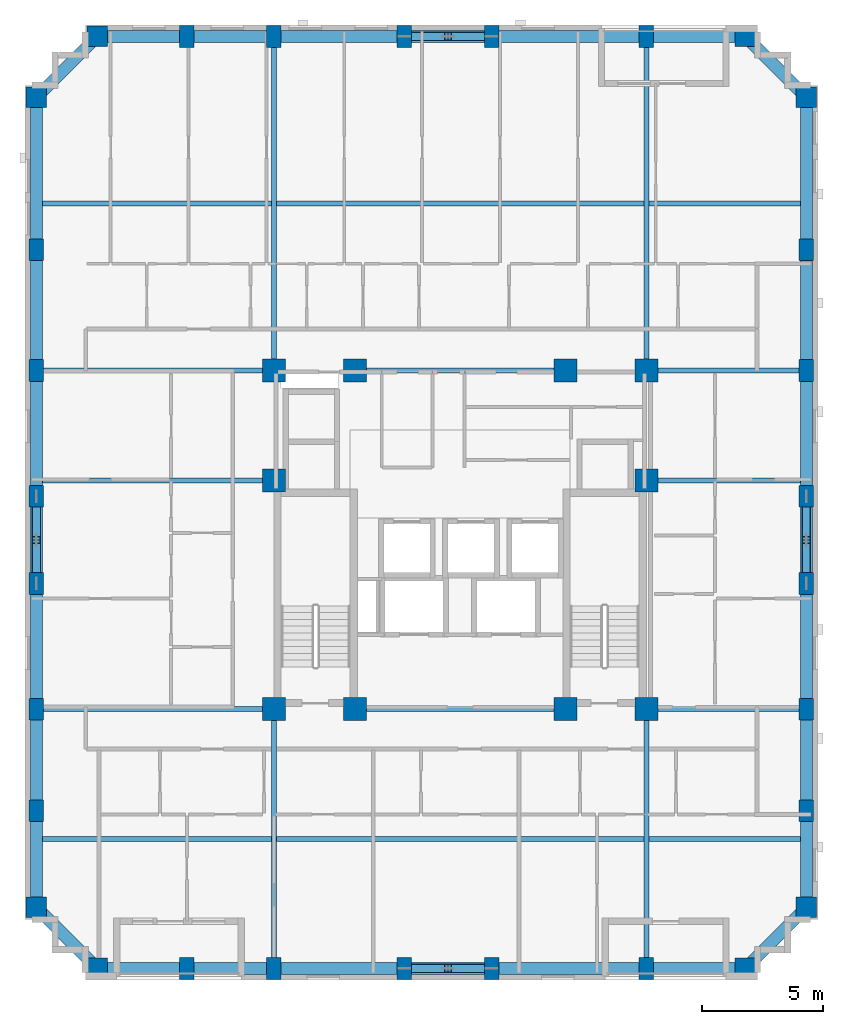
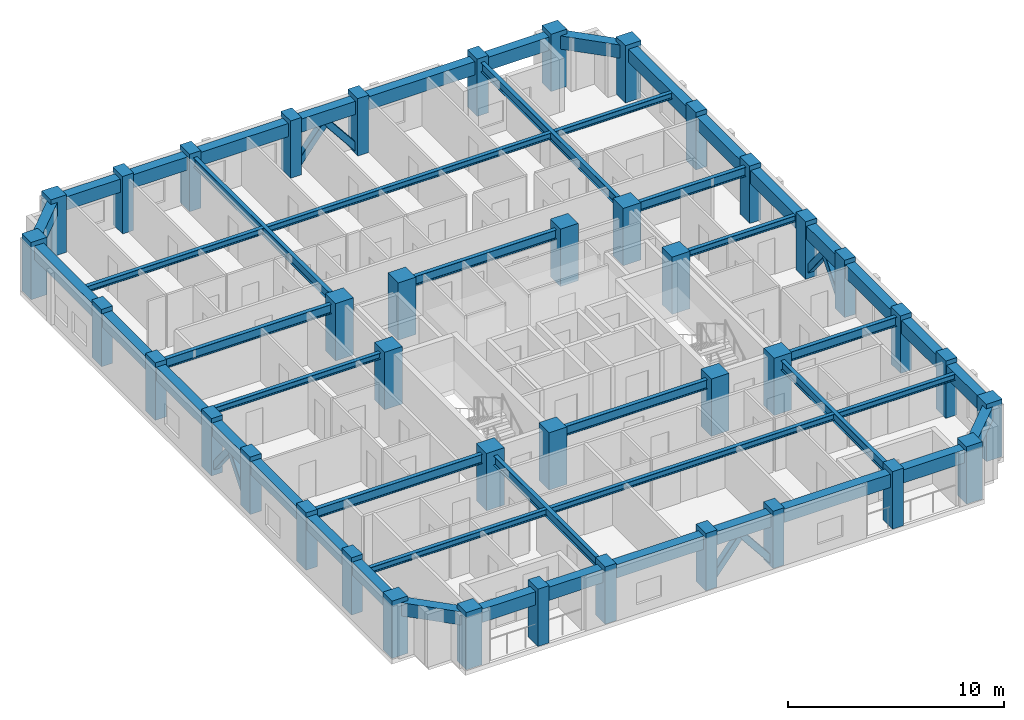
# One storey, part 1 of 11: 48 beams, 40 columns, 8 members.
"""IFC4 building model written with IfcOpenShell, lengths in metres."""

from ifc_helpers import new_model, si_unit, derived_unit, direction, frame, origin, origin_2d, place, context, subcontext, project, spatial, rectangle, hollow_rectangle, i_section, extrude, material, material_profile, profile_set, type_object, element, save


model = new_model("IFC4")

# Units and contexts
model_context = context("Model", 3, precision=1e-05, world=origin(), true_north=direction((0.0, 1.0)))
body_context = subcontext(model_context, "Body", "Model", "MODEL_VIEW")
ifc_project = project(units=[si_unit("LENGTHUNIT", "METRE"), si_unit("AREAUNIT", "SQUARE_METRE"), si_unit("VOLUMEUNIT", "CUBIC_METRE"), si_unit("PLANEANGLEUNIT", "RADIAN"), si_unit("MASSUNIT", "GRAM", prefix="KILO"), derived_unit("THERMALTRANSMITTANCEUNIT", [(si_unit("MASSUNIT", "GRAM", prefix="KILO"), 1), (si_unit("TIMEUNIT", "SECOND"), -3), (si_unit("THERMODYNAMICTEMPERATUREUNIT", "KELVIN"), -1)])], contexts=[model_context])

# Site, building, storey
site_placement = place(None, origin())
site = spatial("IfcSite", under=ifc_project, at=site_placement, CompositionType="ELEMENT")
building_placement = place(site_placement, origin())
building = spatial("IfcBuilding", under=site, at=building_placement, Name="Korrvale Station Residences", CompositionType="ELEMENT")
storey_placement = place(building_placement, frame((0.0, 0.0, 160.14990234375)))
storey = spatial("IfcBuildingStorey", under=building, at=storey_placement, Name="L46", CompositionType="ELEMENT", Elevation=160.14990234375)

# Columns
ifc_material_1 = material(Name="Concrete C60/75", Category="concrete")
ifc_material_profile_1 = material_profile(ifc_material_1, rectangle(XDim=0.60009765625, YDim=0.89990234375, at=origin_2d()), Name="RC600x900")
ifc_profile_set_1 = profile_set([ifc_material_profile_1], Name="Concrete C60/75")
column_type_1 = type_object("IfcColumnType", Name="COL-C-RC600x900-C6075", PredefinedType="COLUMN", material=ifc_profile_set_1)
for number, where, z_axis, x_axis, name in (
    (1, (14.199951171875, 4.280029296875, 0.0), (0.0, 0.0, 1.0), (1.0, 0.0, 0.0), "L46 Bundled-Tube South Column 02"),
    (2, (17.800048828125, 4.280029296875, 0.0), (0.0, 0.0, 1.0), (1.0, 0.0, 0.0), "L46 Bundled-Tube South Column 03"),
    (3, (23.199951171875, 4.280029296875, 0.0), (0.0, 0.0, 1.0), (1.0, 0.0, 0.0), "L46 Bundled-Tube South Column 04"),
    (4, (26.800048828125, 4.280029296875, 0.0), (0.0, 0.0, 1.0), (1.0, 0.0, 0.0), "L46 Bundled-Tube South Column 05"),
    (5, (33.199951171875, 4.280029296875, 0.0), (0.0, 0.0, 1.0), (1.0, 0.0, 0.0), "L46 Bundled-Tube South Column 06"),
    (6, (14.199951171875, 42.820068359375, 0.0), (0.0, 0.0, 1.0), (1.0, 0.0, 0.0), "L46 Bundled-Tube North Column 09"),
    (7, (17.800048828125, 42.820068359375, 0.0), (0.0, 0.0, 1.0), (1.0, 0.0, 0.0), "L46 Bundled-Tube North Column 10"),
    (8, (23.199951171875, 42.820068359375, 0.0), (0.0, 0.0, 1.0), (1.0, 0.0, 0.0), "L46 Bundled-Tube North Column 11"),
    (9, (26.800048828125, 42.820068359375, 0.0), (0.0, 0.0, 1.0), (1.0, 0.0, 0.0), "L46 Bundled-Tube North Column 12"),
    (10, (33.199951171875, 42.820068359375, 0.0), (0.0, 0.0, 1.0), (1.0, 0.0, 0.0), "L46 Bundled-Tube North Column 13"),
    (11, (7.97998046875, 10.800048828125, 0.0), (0.0, 0.0, 1.0), (1.0, 0.0, 0.0), "L46 Bundled-Tube West Column 16"),
    (12, (7.97998046875, 15.0, 0.0), (0.0, 0.0, 1.0), (1.0, 0.0, 0.0), "L46 Bundled-Tube West Column 17"),
    (13, (7.97998046875, 20.199951171875, 0.0), (0.0, 0.0, 1.0), (1.0, 0.0, 0.0), "L46 Bundled-Tube West Column 18"),
    (14, (7.97998046875, 23.800048828125, 0.0), (0.0, 0.0, 1.0), (1.0, 0.0, 0.0), "L46 Bundled-Tube West Column 19"),
    (15, (7.97998046875, 29.0, 0.0), (0.0, 0.0, 1.0), (1.0, 0.0, 0.0), "L46 Bundled-Tube West Column 20"),
    (16, (7.97998046875, 34.0, 0.0), (0.0, 0.0, 1.0), (1.0, 0.0, 0.0), "L46 Bundled-Tube West Column 21"),
    (17, (39.820068359375, 10.800048828125, 0.0), (0.0, 0.0, 1.0), (1.0, 0.0, 0.0), "L46 Bundled-Tube East Column 24"),
    (18, (39.820068359375, 15.0, 0.0), (0.0, 0.0, 1.0), (1.0, 0.0, 0.0), "L46 Bundled-Tube East Column 25"),
    (19, (39.820068359375, 20.199951171875, 0.0), (0.0, 0.0, 1.0), (1.0, 0.0, 0.0), "L46 Bundled-Tube East Column 26"),
    (20, (39.820068359375, 23.800048828125, 0.0), (0.0, 0.0, 1.0), (1.0, 0.0, 0.0), "L46 Bundled-Tube East Column 27"),
    (21, (39.820068359375, 29.0, 0.0), (0.0, 0.0, 1.0), (1.0, 0.0, 0.0), "L46 Bundled-Tube East Column 28"),
    (22, (39.820068359375, 34.0, 0.0), (0.0, 0.0, 1.0), (1.0, 0.0, 0.0), "L46 Bundled-Tube East Column 29"),
):
    element("IfcColumn", number, at=place(storey_placement, frame(where, z_axis=z_axis, x_axis=x_axis)), inside=storey, type_object=column_type_1, Name=name, PredefinedType="COLUMN", context=body_context, shape_type="SweptSolid", body=[
        extrude(rectangle(XDim=0.60009765625, YDim=0.89990234375, at=origin_2d()), origin(), (0.0, 0.0, 1.0), 3.25),
    ])
ifc_material_profile_2 = material_profile(ifc_material_1, rectangle(XDim=0.85009765625, YDim=0.85009765625, at=origin_2d()), Name="RC850x850")
ifc_profile_set_2 = profile_set([ifc_material_profile_2], Name="Concrete C60/75")
column_type_2 = type_object("IfcColumnType", Name="COL-C-RC850x850-C6075", PredefinedType="COLUMN", material=ifc_profile_set_2)
for number, where, z_axis, x_axis, name in (
    (23, (10.5, 4.280029296875, 0.0), (0.0, 0.0, 1.0), (1.0, 0.0, 0.0), "L46 Bundled-Tube South Column 01"),
    (24, (37.300048828125, 4.280029296875, 0.0), (0.0, 0.0, 1.0), (1.0, 0.0, 0.0), "L46 Bundled-Tube South Column 07"),
    (25, (10.5, 42.820068359375, 0.0), (0.0, 0.0, 1.0), (1.0, 0.0, 0.0), "L46 Bundled-Tube North Column 08"),
    (26, (37.300048828125, 42.820068359375, 0.0), (0.0, 0.0, 1.0), (1.0, 0.0, 0.0), "L46 Bundled-Tube North Column 14"),
    (27, (7.97998046875, 6.800048828125, 0.0), (0.0, 0.0, 1.0), (1.0, 0.0, 0.0), "L46 Bundled-Tube West Column 15"),
    (28, (7.97998046875, 40.300048828125, 0.0), (0.0, 0.0, 1.0), (1.0, 0.0, 0.0), "L46 Bundled-Tube West Column 22"),
    (29, (39.820068359375, 6.800048828125, 0.0), (0.0, 0.0, 1.0), (1.0, 0.0, 0.0), "L46 Bundled-Tube East Column 23"),
    (30, (39.820068359375, 40.300048828125, 0.0), (0.0, 0.0, 1.0), (1.0, 0.0, 0.0), "L46 Bundled-Tube East Column 30"),
):
    element("IfcColumn", number, at=place(storey_placement, frame(where, z_axis=z_axis, x_axis=x_axis)), inside=storey, type_object=column_type_2, Name=name, PredefinedType="COLUMN", context=body_context, shape_type="SweptSolid", body=[
        extrude(rectangle(XDim=0.85009765625, YDim=0.85009765625, at=origin_2d()), origin(), (0.0, 0.0, 1.0), 3.25),
    ])
ifc_material_profile_3 = material_profile(ifc_material_1, rectangle(XDim=0.949951171875, YDim=0.949951171875, at=origin_2d()), Name="RC950x950")
ifc_profile_set_3 = profile_set([ifc_material_profile_3], Name="Concrete C60/75")
column_type_3 = type_object("IfcColumnType", Name="COL-C-RC950x950-C6075", PredefinedType="COLUMN", material=ifc_profile_set_3)
for number, where, z_axis, x_axis, name in (
    (31, (17.800048828125, 15.0, 0.0), (0.0, 0.0, 1.0), (1.0, 0.0, 0.0), "L46 Core Column 01"),
    (32, (21.14990234375, 15.0, 0.0), (0.0, 0.0, 1.0), (1.0, 0.0, 0.0), "L46 Core Column 02"),
    (33, (29.85009765625, 15.0, 0.0), (0.0, 0.0, 1.0), (1.0, 0.0, 0.0), "L46 Core Column 03"),
    (34, (33.199951171875, 15.0, 0.0), (0.0, 0.0, 1.0), (1.0, 0.0, 0.0), "L46 Core Column 04"),
    (35, (17.800048828125, 29.0, 0.0), (0.0, 0.0, 1.0), (1.0, 0.0, 0.0), "L46 Core Column 05"),
    (36, (21.14990234375, 29.0, 0.0), (0.0, 0.0, 1.0), (1.0, 0.0, 0.0), "L46 Core Column 06"),
    (37, (29.85009765625, 29.0, 0.0), (0.0, 0.0, 1.0), (1.0, 0.0, 0.0), "L46 Core Column 07"),
    (38, (33.199951171875, 29.0, 0.0), (0.0, 0.0, 1.0), (1.0, 0.0, 0.0), "L46 Core Column 08"),
    (39, (17.800048828125, 24.449951171875, 0.0), (0.0, 0.0, 1.0), (1.0, 0.0, 0.0), "L46 Core Column 09"),
    (40, (33.199951171875, 24.449951171875, 0.0), (0.0, 0.0, 1.0), (1.0, 0.0, 0.0), "L46 Core Column 10"),
):
    element("IfcColumn", number, at=place(storey_placement, frame(where, z_axis=z_axis, x_axis=x_axis)), inside=storey, type_object=column_type_3, Name=name, PredefinedType="COLUMN", context=body_context, shape_type="SweptSolid", body=[
        extrude(rectangle(XDim=0.949951171875, YDim=0.949951171875, at=origin_2d()), origin(), (0.0, 0.0, 1.0), 3.25),
    ])

# Beams
ifc_material_2 = material(Name="Steel S355", Category="steel")
ifc_material_profile_4 = material_profile(ifc_material_2, i_section(OverallWidth=0.208984375, OverallDepth=0.532958984375, WebThickness=0.01025390625, FlangeThickness=0.015625, FilletRadius=0.01806640625, at=origin_2d()), Name="W530x92")
ifc_profile_set_4 = profile_set([ifc_material_profile_4], Name="Steel S355")
beam_type_1 = type_object("IfcBeamType", Name="BM-BM-W530x92-S355", PredefinedType="BEAM", material=ifc_profile_set_4)
for number, where, z_axis, x_axis, name in (
    (41, (17.800048828125, 4.280029296875, 2.7236328125), (0.0, 1.0, 0.0), (-1.0, 0.0, 0.0), "L46 Bundled-Tube Web Girder 01"),
    (42, (33.199951171875, 4.280029296875, 2.7236328125), (0.0, 1.0, 0.0), (-1.0, 0.0, 0.0), "L46 Bundled-Tube Web Girder 02"),
):
    element("IfcBeam", number, at=place(storey_placement, frame(where, z_axis=z_axis, x_axis=x_axis)), inside=storey, type_object=beam_type_1, Name=name, PredefinedType="BEAM", context=body_context, shape_type="SweptSolid", body=[
        extrude(i_section(OverallWidth=0.208984375, OverallDepth=0.532958984375, WebThickness=0.01025390625, FlangeThickness=0.015625, FilletRadius=0.01806640625, at=origin_2d()), origin(), (0.0, 0.0, 1.0), 10.719970703125),
    ])
for number, where, z_axis, x_axis, name in (
    (43, (17.800048828125, 29.0, 2.7236328125), (0.0, 1.0, 0.0), (-1.0, 0.0, 0.0), "L46 Bundled-Tube Web Girder 03"),
    (44, (33.199951171875, 29.0, 2.7236328125), (0.0, 1.0, 0.0), (-1.0, 0.0, 0.0), "L46 Bundled-Tube Web Girder 04"),
):
    element("IfcBeam", number, at=place(storey_placement, frame(where, z_axis=z_axis, x_axis=x_axis)), inside=storey, type_object=beam_type_1, Name=name, PredefinedType="BEAM", context=body_context, shape_type="SweptSolid", body=[
        extrude(i_section(OverallWidth=0.208984375, OverallDepth=0.532958984375, WebThickness=0.01025390625, FlangeThickness=0.015625, FilletRadius=0.01806640625, at=origin_2d()), origin(), (0.0, 0.0, 1.0), 13.820068359375),
    ])
beam_1_placement = place(storey_placement, frame((7.97998046875, 15.0, 2.7236328125), z_axis=(1.0, 0.0, 0.0), x_axis=(0.0, 1.0, 0.0)))
element("IfcBeam", 45, at=beam_1_placement, inside=storey, type_object=beam_type_1, Name="L46 Bundled-Tube Web Girder 05", PredefinedType="BEAM", context=body_context, shape_type="SweptSolid", body=[
    extrude(i_section(OverallWidth=0.208984375, OverallDepth=0.532958984375, WebThickness=0.01025390625, FlangeThickness=0.015625, FilletRadius=0.01806640625, at=origin_2d()), origin(), (0.0, 0.0, 1.0), 9.820068359375),
])
beam_2_placement = place(storey_placement, frame((33.199951171875, 15.0, 2.7236328125), z_axis=(1.0, 0.0, 0.0), x_axis=(0.0, 1.0, 0.0)))
element("IfcBeam", 46, at=beam_2_placement, inside=storey, type_object=beam_type_1, Name="L46 Bundled-Tube Web Girder 06", PredefinedType="BEAM", context=body_context, shape_type="SweptSolid", body=[
    extrude(i_section(OverallWidth=0.208984375, OverallDepth=0.532958984375, WebThickness=0.01025390625, FlangeThickness=0.015625, FilletRadius=0.01806640625, at=origin_2d()), origin(), (0.0, 0.0, 1.0), 6.6201171875),
])
beam_3_placement = place(storey_placement, frame((7.97998046875, 29.0, 2.7236328125), z_axis=(1.0, 0.0, 0.0), x_axis=(0.0, 1.0, 0.0)))
element("IfcBeam", 47, at=beam_3_placement, inside=storey, type_object=beam_type_1, Name="L46 Bundled-Tube Web Girder 07", PredefinedType="BEAM", context=body_context, shape_type="SweptSolid", body=[
    extrude(i_section(OverallWidth=0.208984375, OverallDepth=0.532958984375, WebThickness=0.01025390625, FlangeThickness=0.015625, FilletRadius=0.01806640625, at=origin_2d()), origin(), (0.0, 0.0, 1.0), 9.820068359375),
])
beam_4_placement = place(storey_placement, frame((33.199951171875, 29.0, 2.7236328125), z_axis=(1.0, 0.0, 0.0), x_axis=(0.0, 1.0, 0.0)))
element("IfcBeam", 48, at=beam_4_placement, inside=storey, type_object=beam_type_1, Name="L46 Bundled-Tube Web Girder 08", PredefinedType="BEAM", context=body_context, shape_type="SweptSolid", body=[
    extrude(i_section(OverallWidth=0.208984375, OverallDepth=0.532958984375, WebThickness=0.01025390625, FlangeThickness=0.015625, FilletRadius=0.01806640625, at=origin_2d()), origin(), (0.0, 0.0, 1.0), 6.6201171875),
])
for number, where, z_axis, x_axis, name in (
    (49, (21.14990234375, 15.0, 2.7236328125), (1.0, 0.0, 0.0), (0.0, 1.0, 0.0), "L46 Bundled-Tube Web Girder 09"),
    (50, (21.14990234375, 29.0, 2.7236328125), (1.0, 0.0, 0.0), (0.0, 1.0, 0.0), "L46 Bundled-Tube Web Girder 10"),
):
    element("IfcBeam", number, at=place(storey_placement, frame(where, z_axis=z_axis, x_axis=x_axis)), inside=storey, type_object=beam_type_1, Name=name, PredefinedType="BEAM", context=body_context, shape_type="SweptSolid", body=[
        extrude(i_section(OverallWidth=0.208984375, OverallDepth=0.532958984375, WebThickness=0.01025390625, FlangeThickness=0.015625, FilletRadius=0.01806640625, at=origin_2d()), origin(), (0.0, 0.0, 1.0), 8.7001953125),
    ])
ifc_material_profile_5 = material_profile(ifc_material_2, i_section(OverallWidth=0.205078125, OverallDepth=0.35400390625, WebThickness=0.009521484375, FlangeThickness=0.016845703125, FilletRadius=0.014892578125, at=origin_2d()), Name="W360x79")
ifc_profile_set_5 = profile_set([ifc_material_profile_5], Name="Steel S355")
beam_type_2 = type_object("IfcBeamType", Name="BM-JST-W360x79-S355", PredefinedType="JOIST", material=ifc_profile_set_5)
beam_5_placement = place(storey_placement, frame((8.22998046875, 9.639892578125, 2.81298828125), z_axis=(1.0, 0.0, 0.0), x_axis=(0.0, 1.0, 0.0)))
element("IfcBeam", 51, at=beam_5_placement, inside=storey, type_object=beam_type_2, Name="L46 Floor Framing Joist 01", PredefinedType="JOIST", context=body_context, shape_type="SweptSolid", body=[
    extrude(i_section(OverallWidth=0.205078125, OverallDepth=0.35400390625, WebThickness=0.009521484375, FlangeThickness=0.016845703125, FilletRadius=0.014892578125, at=origin_2d()), origin(), (0.0, 0.0, 1.0), 9.465576171875),
])
beam_6_placement = place(storey_placement, frame((17.904541015625, 9.639892578125, 2.81298828125), z_axis=(1.0, 0.0, 0.0), x_axis=(0.0, 1.0, 0.0)))
element("IfcBeam", 52, at=beam_6_placement, inside=storey, type_object=beam_type_2, Name="L46 Floor Framing Joist 02", PredefinedType="JOIST", context=body_context, shape_type="SweptSolid", body=[
    extrude(i_section(OverallWidth=0.205078125, OverallDepth=0.35400390625, WebThickness=0.009521484375, FlangeThickness=0.016845703125, FilletRadius=0.014892578125, at=origin_2d()), origin(), (0.0, 0.0, 1.0), 15.19091796875),
])
beam_7_placement = place(storey_placement, frame((33.304443359375, 9.639892578125, 2.81298828125), z_axis=(1.0, 0.0, 0.0), x_axis=(0.0, 1.0, 0.0)))
element("IfcBeam", 53, at=beam_7_placement, inside=storey, type_object=beam_type_2, Name="L46 Floor Framing Joist 03", PredefinedType="JOIST", context=body_context, shape_type="SweptSolid", body=[
    extrude(i_section(OverallWidth=0.205078125, OverallDepth=0.35400390625, WebThickness=0.009521484375, FlangeThickness=0.016845703125, FilletRadius=0.014892578125, at=origin_2d()), origin(), (0.0, 0.0, 1.0), 6.265625),
])
beam_8_placement = place(storey_placement, frame((8.22998046875, 35.909912109375, 2.81298828125), z_axis=(1.0, 0.0, 0.0), x_axis=(0.0, 1.0, 0.0)))
element("IfcBeam", 54, at=beam_8_placement, inside=storey, type_object=beam_type_2, Name="L46 Floor Framing Joist 04", PredefinedType="JOIST", context=body_context, shape_type="SweptSolid", body=[
    extrude(i_section(OverallWidth=0.205078125, OverallDepth=0.35400390625, WebThickness=0.009521484375, FlangeThickness=0.016845703125, FilletRadius=0.014892578125, at=origin_2d()), origin(), (0.0, 0.0, 1.0), 9.465576171875),
])
beam_9_placement = place(storey_placement, frame((17.904541015625, 35.909912109375, 2.81298828125), z_axis=(1.0, 0.0, 0.0), x_axis=(0.0, 1.0, 0.0)))
element("IfcBeam", 55, at=beam_9_placement, inside=storey, type_object=beam_type_2, Name="L46 Floor Framing Joist 05", PredefinedType="JOIST", context=body_context, shape_type="SweptSolid", body=[
    extrude(i_section(OverallWidth=0.205078125, OverallDepth=0.35400390625, WebThickness=0.009521484375, FlangeThickness=0.016845703125, FilletRadius=0.014892578125, at=origin_2d()), origin(), (0.0, 0.0, 1.0), 15.19091796875),
])
beam_10_placement = place(storey_placement, frame((33.304443359375, 35.909912109375, 2.81298828125), z_axis=(1.0, 0.0, 0.0), x_axis=(0.0, 1.0, 0.0)))
element("IfcBeam", 56, at=beam_10_placement, inside=storey, type_object=beam_type_2, Name="L46 Floor Framing Joist 06", PredefinedType="JOIST", context=body_context, shape_type="SweptSolid", body=[
    extrude(i_section(OverallWidth=0.205078125, OverallDepth=0.35400390625, WebThickness=0.009521484375, FlangeThickness=0.016845703125, FilletRadius=0.014892578125, at=origin_2d()), origin(), (0.0, 0.0, 1.0), 6.265625),
])
beam_11_placement = place(storey_placement, frame((33.199951171875, 24.449951171875, 2.81298828125), z_axis=(1.0, 0.0, 0.0), x_axis=(0.0, 1.0, 0.0)))
element("IfcBeam", 57, at=beam_11_placement, inside=storey, type_object=beam_type_2, Name="L46 Floor Framing Joist 07", PredefinedType="JOIST", context=body_context, shape_type="SweptSolid", body=[
    extrude(i_section(OverallWidth=0.205078125, OverallDepth=0.35400390625, WebThickness=0.009521484375, FlangeThickness=0.016845703125, FilletRadius=0.014892578125, at=origin_2d()), origin(), (0.0, 0.0, 1.0), 6.3701171875),
])
beam_12_placement = place(storey_placement, frame((8.22998046875, 24.449951171875, 2.81298828125), z_axis=(1.0, 0.0, 0.0), x_axis=(0.0, 1.0, 0.0)))
element("IfcBeam", 58, at=beam_12_placement, inside=storey, type_object=beam_type_2, Name="L46 Floor Framing Joist 08", PredefinedType="JOIST", context=body_context, shape_type="SweptSolid", body=[
    extrude(i_section(OverallWidth=0.205078125, OverallDepth=0.35400390625, WebThickness=0.009521484375, FlangeThickness=0.016845703125, FilletRadius=0.014892578125, at=origin_2d()), origin(), (0.0, 0.0, 1.0), 9.570068359375),
])
ifc_material_profile_6 = material_profile(ifc_material_1, rectangle(XDim=0.5, YDim=0.75, at=origin_2d()), Name="RCB500x750")
ifc_profile_set_6 = profile_set([ifc_material_profile_6], Name="Concrete C60/75")
beam_type_3 = type_object("IfcBeamType", Name="BM-SPB-RCB500x750-C6075", PredefinedType="SPANDREL", material=ifc_profile_set_6)
beam_13_placement = place(storey_placement, frame((10.5, 4.280029296875, 2.614990234375), z_axis=(1.0, 0.0, 0.0), x_axis=(0.0, 1.0, 0.0)))
element("IfcBeam", 59, at=beam_13_placement, inside=storey, type_object=beam_type_3, Name="L46 South Tube Spandrel 01", PredefinedType="SPANDREL", context=body_context, shape_type="SweptSolid", body=[
    extrude(rectangle(XDim=0.5, YDim=0.75, at=origin_2d()), origin(), (0.0, 0.0, 1.0), 3.699951171875),
])
beam_14_placement = place(storey_placement, frame((14.199951171875, 4.280029296875, 2.614990234375), z_axis=(1.0, 0.0, 0.0), x_axis=(0.0, 1.0, 0.0)))
element("IfcBeam", 60, at=beam_14_placement, inside=storey, type_object=beam_type_3, Name="L46 South Tube Spandrel 02", PredefinedType="SPANDREL", context=body_context, shape_type="SweptSolid", body=[
    extrude(rectangle(XDim=0.5, YDim=0.75, at=origin_2d()), origin(), (0.0, 0.0, 1.0), 3.60009765625),
])
beam_15_placement = place(storey_placement, frame((17.800048828125, 4.280029296875, 2.614990234375), z_axis=(1.0, 0.0, 0.0), x_axis=(0.0, 1.0, 0.0)))
element("IfcBeam", 61, at=beam_15_placement, inside=storey, type_object=beam_type_3, Name="L46 South Tube Spandrel 03", PredefinedType="SPANDREL", context=body_context, shape_type="SweptSolid", body=[
    extrude(rectangle(XDim=0.5, YDim=0.75, at=origin_2d()), origin(), (0.0, 0.0, 1.0), 5.39990234375),
])
beam_16_placement = place(storey_placement, frame((23.199951171875, 4.280029296875, 2.614990234375), z_axis=(1.0, 0.0, 0.0), x_axis=(0.0, 1.0, 0.0)))
element("IfcBeam", 62, at=beam_16_placement, inside=storey, type_object=beam_type_3, Name="L46 South Tube Spandrel 04", PredefinedType="SPANDREL", context=body_context, shape_type="SweptSolid", body=[
    extrude(rectangle(XDim=0.5, YDim=0.75, at=origin_2d()), origin(), (0.0, 0.0, 1.0), 3.60009765625),
])
beam_17_placement = place(storey_placement, frame((26.800048828125, 4.280029296875, 2.614990234375), z_axis=(1.0, 0.0, 0.0), x_axis=(0.0, 1.0, 0.0)))
element("IfcBeam", 63, at=beam_17_placement, inside=storey, type_object=beam_type_3, Name="L46 South Tube Spandrel 05", PredefinedType="SPANDREL", context=body_context, shape_type="SweptSolid", body=[
    extrude(rectangle(XDim=0.5, YDim=0.75, at=origin_2d()), origin(), (0.0, 0.0, 1.0), 6.39990234375),
])
beam_18_placement = place(storey_placement, frame((33.199951171875, 4.280029296875, 2.614990234375), z_axis=(1.0, 0.0, 0.0), x_axis=(0.0, 1.0, 0.0)))
element("IfcBeam", 64, at=beam_18_placement, inside=storey, type_object=beam_type_3, Name="L46 South Tube Spandrel 06", PredefinedType="SPANDREL", context=body_context, shape_type="SweptSolid", body=[
    extrude(rectangle(XDim=0.5, YDim=0.75, at=origin_2d()), origin(), (0.0, 0.0, 1.0), 4.10009765625),
])
beam_19_placement = place(storey_placement, frame((10.5, 42.820068359375, 2.614990234375), z_axis=(1.0, 0.0, 0.0), x_axis=(0.0, 1.0, 0.0)))
element("IfcBeam", 65, at=beam_19_placement, inside=storey, type_object=beam_type_3, Name="L46 North Tube Spandrel 07", PredefinedType="SPANDREL", context=body_context, shape_type="SweptSolid", body=[
    extrude(rectangle(XDim=0.5, YDim=0.75, at=origin_2d()), origin(), (0.0, 0.0, 1.0), 3.699951171875),
])
beam_20_placement = place(storey_placement, frame((14.199951171875, 42.820068359375, 2.614990234375), z_axis=(1.0, 0.0, 0.0), x_axis=(0.0, 1.0, 0.0)))
element("IfcBeam", 66, at=beam_20_placement, inside=storey, type_object=beam_type_3, Name="L46 North Tube Spandrel 08", PredefinedType="SPANDREL", context=body_context, shape_type="SweptSolid", body=[
    extrude(rectangle(XDim=0.5, YDim=0.75, at=origin_2d()), origin(), (0.0, 0.0, 1.0), 3.60009765625),
])
beam_21_placement = place(storey_placement, frame((17.800048828125, 42.820068359375, 2.614990234375), z_axis=(1.0, 0.0, 0.0), x_axis=(0.0, 1.0, 0.0)))
element("IfcBeam", 67, at=beam_21_placement, inside=storey, type_object=beam_type_3, Name="L46 North Tube Spandrel 09", PredefinedType="SPANDREL", context=body_context, shape_type="SweptSolid", body=[
    extrude(rectangle(XDim=0.5, YDim=0.75, at=origin_2d()), origin(), (0.0, 0.0, 1.0), 5.39990234375),
])
beam_22_placement = place(storey_placement, frame((23.199951171875, 42.820068359375, 2.614990234375), z_axis=(1.0, 0.0, 0.0), x_axis=(0.0, 1.0, 0.0)))
element("IfcBeam", 68, at=beam_22_placement, inside=storey, type_object=beam_type_3, Name="L46 North Tube Spandrel 10", PredefinedType="SPANDREL", context=body_context, shape_type="SweptSolid", body=[
    extrude(rectangle(XDim=0.5, YDim=0.75, at=origin_2d()), origin(), (0.0, 0.0, 1.0), 3.60009765625),
])
beam_23_placement = place(storey_placement, frame((26.800048828125, 42.820068359375, 2.614990234375), z_axis=(1.0, 0.0, 0.0), x_axis=(0.0, 1.0, 0.0)))
element("IfcBeam", 69, at=beam_23_placement, inside=storey, type_object=beam_type_3, Name="L46 North Tube Spandrel 11", PredefinedType="SPANDREL", context=body_context, shape_type="SweptSolid", body=[
    extrude(rectangle(XDim=0.5, YDim=0.75, at=origin_2d()), origin(), (0.0, 0.0, 1.0), 6.39990234375),
])
beam_24_placement = place(storey_placement, frame((33.199951171875, 42.820068359375, 2.614990234375), z_axis=(1.0, 0.0, 0.0), x_axis=(0.0, 1.0, 0.0)))
element("IfcBeam", 70, at=beam_24_placement, inside=storey, type_object=beam_type_3, Name="L46 North Tube Spandrel 12", PredefinedType="SPANDREL", context=body_context, shape_type="SweptSolid", body=[
    extrude(rectangle(XDim=0.5, YDim=0.75, at=origin_2d()), origin(), (0.0, 0.0, 1.0), 4.10009765625),
])
beam_25_placement = place(storey_placement, frame((7.97998046875, 6.800048828125, 2.614990234375), z_axis=(0.0, 1.0, 0.0), x_axis=(-1.0, 0.0, 0.0)))
element("IfcBeam", 71, at=beam_25_placement, inside=storey, type_object=beam_type_3, Name="L46 West Tube Spandrel 13", PredefinedType="SPANDREL", context=body_context, shape_type="SweptSolid", body=[
    extrude(rectangle(XDim=0.5, YDim=0.75, at=origin_2d()), origin(), (0.0, 0.0, 1.0), 4.0),
])
beam_26_placement = place(storey_placement, frame((7.97998046875, 10.800048828125, 2.614990234375), z_axis=(0.0, 1.0, 0.0), x_axis=(-1.0, 0.0, 0.0)))
element("IfcBeam", 72, at=beam_26_placement, inside=storey, type_object=beam_type_3, Name="L46 West Tube Spandrel 14", PredefinedType="SPANDREL", context=body_context, shape_type="SweptSolid", body=[
    extrude(rectangle(XDim=0.5, YDim=0.75, at=origin_2d()), origin(), (0.0, 0.0, 1.0), 4.199951171875),
])
beam_27_placement = place(storey_placement, frame((7.97998046875, 15.0, 2.614990234375), z_axis=(0.0, 1.0, 0.0), x_axis=(-1.0, 0.0, 0.0)))
element("IfcBeam", 73, at=beam_27_placement, inside=storey, type_object=beam_type_3, Name="L46 West Tube Spandrel 15", PredefinedType="SPANDREL", context=body_context, shape_type="SweptSolid", body=[
    extrude(rectangle(XDim=0.5, YDim=0.75, at=origin_2d()), origin(), (0.0, 0.0, 1.0), 5.199951171875),
])
beam_28_placement = place(storey_placement, frame((7.97998046875, 20.199951171875, 2.614990234375), z_axis=(0.0, 1.0, 0.0), x_axis=(-1.0, 0.0, 0.0)))
element("IfcBeam", 74, at=beam_28_placement, inside=storey, type_object=beam_type_3, Name="L46 West Tube Spandrel 16", PredefinedType="SPANDREL", context=body_context, shape_type="SweptSolid", body=[
    extrude(rectangle(XDim=0.5, YDim=0.75, at=origin_2d()), origin(), (0.0, 0.0, 1.0), 3.60009765625),
])
beam_29_placement = place(storey_placement, frame((7.97998046875, 23.800048828125, 2.614990234375), z_axis=(0.0, 1.0, 0.0), x_axis=(-1.0, 0.0, 0.0)))
element("IfcBeam", 75, at=beam_29_placement, inside=storey, type_object=beam_type_3, Name="L46 West Tube Spandrel 17", PredefinedType="SPANDREL", context=body_context, shape_type="SweptSolid", body=[
    extrude(rectangle(XDim=0.5, YDim=0.75, at=origin_2d()), origin(), (0.0, 0.0, 1.0), 5.199951171875),
])
beam_30_placement = place(storey_placement, frame((7.97998046875, 29.0, 2.614990234375), z_axis=(0.0, 1.0, 0.0), x_axis=(-1.0, 0.0, 0.0)))
element("IfcBeam", 76, at=beam_30_placement, inside=storey, type_object=beam_type_3, Name="L46 West Tube Spandrel 18", PredefinedType="SPANDREL", context=body_context, shape_type="SweptSolid", body=[
    extrude(rectangle(XDim=0.5, YDim=0.75, at=origin_2d()), origin(), (0.0, 0.0, 1.0), 5.0),
])
beam_31_placement = place(storey_placement, frame((7.97998046875, 34.0, 2.614990234375), z_axis=(0.0, 1.0, 0.0), x_axis=(-1.0, 0.0, 0.0)))
element("IfcBeam", 77, at=beam_31_placement, inside=storey, type_object=beam_type_3, Name="L46 West Tube Spandrel 19", PredefinedType="SPANDREL", context=body_context, shape_type="SweptSolid", body=[
    extrude(rectangle(XDim=0.5, YDim=0.75, at=origin_2d()), origin(), (0.0, 0.0, 1.0), 6.300048828125),
])
beam_32_placement = place(storey_placement, frame((39.820068359375, 6.800048828125, 2.614990234375), z_axis=(0.0, 1.0, 0.0), x_axis=(-1.0, 0.0, 0.0)))
element("IfcBeam", 78, at=beam_32_placement, inside=storey, type_object=beam_type_3, Name="L46 East Tube Spandrel 20", PredefinedType="SPANDREL", context=body_context, shape_type="SweptSolid", body=[
    extrude(rectangle(XDim=0.5, YDim=0.75, at=origin_2d()), origin(), (0.0, 0.0, 1.0), 4.0),
])
beam_33_placement = place(storey_placement, frame((39.820068359375, 10.800048828125, 2.614990234375), z_axis=(0.0, 1.0, 0.0), x_axis=(-1.0, 0.0, 0.0)))
element("IfcBeam", 79, at=beam_33_placement, inside=storey, type_object=beam_type_3, Name="L46 East Tube Spandrel 21", PredefinedType="SPANDREL", context=body_context, shape_type="SweptSolid", body=[
    extrude(rectangle(XDim=0.5, YDim=0.75, at=origin_2d()), origin(), (0.0, 0.0, 1.0), 4.199951171875),
])
beam_34_placement = place(storey_placement, frame((39.820068359375, 15.0, 2.614990234375), z_axis=(0.0, 1.0, 0.0), x_axis=(-1.0, 0.0, 0.0)))
element("IfcBeam", 80, at=beam_34_placement, inside=storey, type_object=beam_type_3, Name="L46 East Tube Spandrel 22", PredefinedType="SPANDREL", context=body_context, shape_type="SweptSolid", body=[
    extrude(rectangle(XDim=0.5, YDim=0.75, at=origin_2d()), origin(), (0.0, 0.0, 1.0), 5.199951171875),
])
beam_35_placement = place(storey_placement, frame((39.820068359375, 20.199951171875, 2.614990234375), z_axis=(0.0, 1.0, 0.0), x_axis=(-1.0, 0.0, 0.0)))
element("IfcBeam", 81, at=beam_35_placement, inside=storey, type_object=beam_type_3, Name="L46 East Tube Spandrel 23", PredefinedType="SPANDREL", context=body_context, shape_type="SweptSolid", body=[
    extrude(rectangle(XDim=0.5, YDim=0.75, at=origin_2d()), origin(), (0.0, 0.0, 1.0), 3.60009765625),
])
beam_36_placement = place(storey_placement, frame((39.820068359375, 23.800048828125, 2.614990234375), z_axis=(0.0, 1.0, 0.0), x_axis=(-1.0, 0.0, 0.0)))
element("IfcBeam", 82, at=beam_36_placement, inside=storey, type_object=beam_type_3, Name="L46 East Tube Spandrel 24", PredefinedType="SPANDREL", context=body_context, shape_type="SweptSolid", body=[
    extrude(rectangle(XDim=0.5, YDim=0.75, at=origin_2d()), origin(), (0.0, 0.0, 1.0), 5.199951171875),
])
beam_37_placement = place(storey_placement, frame((39.820068359375, 29.0, 2.614990234375), z_axis=(0.0, 1.0, 0.0), x_axis=(-1.0, 0.0, 0.0)))
element("IfcBeam", 83, at=beam_37_placement, inside=storey, type_object=beam_type_3, Name="L46 East Tube Spandrel 25", PredefinedType="SPANDREL", context=body_context, shape_type="SweptSolid", body=[
    extrude(rectangle(XDim=0.5, YDim=0.75, at=origin_2d()), origin(), (0.0, 0.0, 1.0), 5.0),
])
beam_38_placement = place(storey_placement, frame((39.820068359375, 34.0, 2.614990234375), z_axis=(0.0, 1.0, 0.0), x_axis=(-1.0, 0.0, 0.0)))
element("IfcBeam", 84, at=beam_38_placement, inside=storey, type_object=beam_type_3, Name="L46 East Tube Spandrel 26", PredefinedType="SPANDREL", context=body_context, shape_type="SweptSolid", body=[
    extrude(rectangle(XDim=0.5, YDim=0.75, at=origin_2d()), origin(), (0.0, 0.0, 1.0), 6.300048828125),
])
for number, where, z_axis, x_axis, name in (
    (85, (10.5, 4.280029296875, 2.614990234375), (-0.707106781187, 0.707106781187, 0.0), (-0.707106781187, -0.707106781187, 0.0), "L46 Serrated Corner Spandrel 27"),
    (86, (37.300048828125, 4.280029296875, 2.614990234375), (0.707106781187, 0.707106781187, 0.0), (-0.707106781187, 0.707106781187, 0.0), "L46 Serrated Corner Spandrel 28"),
    (87, (37.300048828125, 42.820068359375, 2.614990234375), (0.707106781187, -0.707106781187, 0.0), (0.707106781187, 0.707106781187, 0.0), "L46 Serrated Corner Spandrel 29"),
    (88, (10.5, 42.820068359375, 2.614990234375), (-0.707106781187, -0.707106781187, 0.0), (0.707106781187, -0.707106781187, 0.0), "L46 Serrated Corner Spandrel 30"),
):
    element("IfcBeam", number, at=place(storey_placement, frame(where, z_axis=z_axis, x_axis=x_axis)), inside=storey, type_object=beam_type_3, Name=name, PredefinedType="SPANDREL", context=body_context, shape_type="SweptSolid", body=[
        extrude(rectangle(XDim=0.5, YDim=0.75, at=origin_2d()), origin(), (0.0, 0.0, 1.0), 3.56396484375),
    ])

# Members
ifc_material_profile_7 = material_profile(ifc_material_2, hollow_rectangle(XDim=0.355712890625, YDim=0.355712890625, WallThickness=0.015869140625, InnerFilletRadius=0.015869140625, OuterFilletRadius=0.03173828125, at=origin_2d()), Name="HSS356x356x16")
ifc_profile_set_7 = profile_set([ifc_material_profile_7], Name="Steel S355")
member_type = type_object("IfcMemberType", Name="MBR-BR-HSS356x356x16", PredefinedType="BRACE", material=ifc_profile_set_7)
for number, where, z_axis, x_axis, name in (
    (89, (23.199951171875, 4.280029296875, 0.02001953125), (0.62640309239, 0.0, 0.779499304582), (0.0, 1.0, 0.0), "L46 S Perimeter Tube Wind Brace 1"),
    (90, (26.800048828125, 4.280029296875, 0.02001953125), (-0.62640309239, 0.0, 0.779499304582), (0.0, -1.0, 0.0), "L46 S Perimeter Tube Wind Brace 2"),
    (91, (23.199951171875, 42.820068359375, 0.02001953125), (0.62640309239, 0.0, 0.779499304582), (0.0, 1.0, 0.0), "L46 N Perimeter Tube Wind Brace 1"),
    (92, (26.800048828125, 42.820068359375, 0.02001953125), (-0.62640309239, 0.0, 0.779499304582), (0.0, -1.0, 0.0), "L46 N Perimeter Tube Wind Brace 2"),
    (93, (7.97998046875, 20.199951171875, 0.02001953125), (0.0, 0.62640309239, 0.779499304582), (-1.0, 0.0, 0.0), "L46 W Perimeter Tube Wind Brace 1"),
    (94, (7.97998046875, 23.800048828125, 0.02001953125), (0.0, -0.62640309239, 0.779499304582), (1.0, 0.0, 0.0), "L46 W Perimeter Tube Wind Brace 2"),
    (95, (39.820068359375, 20.199951171875, 0.02001953125), (0.0, 0.62640309239, 0.779499304582), (-1.0, 0.0, 0.0), "L46 E Perimeter Tube Wind Brace 1"),
    (96, (39.820068359375, 23.800048828125, 0.02001953125), (0.0, -0.62640309239, 0.779499304582), (1.0, 0.0, 0.0), "L46 E Perimeter Tube Wind Brace 2"),
):
    element("IfcMember", number, at=place(storey_placement, frame(where, z_axis=z_axis, x_axis=x_axis)), inside=storey, type_object=member_type, Name=name, PredefinedType="BRACE", context=body_context, shape_type="SweptSolid", body=[
        extrude(hollow_rectangle(XDim=0.355712890625, YDim=0.355712890625, WallThickness=0.015869140625, InnerFilletRadius=0.015869140625, OuterFilletRadius=0.03173828125, at=origin_2d()), origin(), (0.0, 0.0, 1.0), 2.87353515625),
    ])

save(model, "model.ifc")
